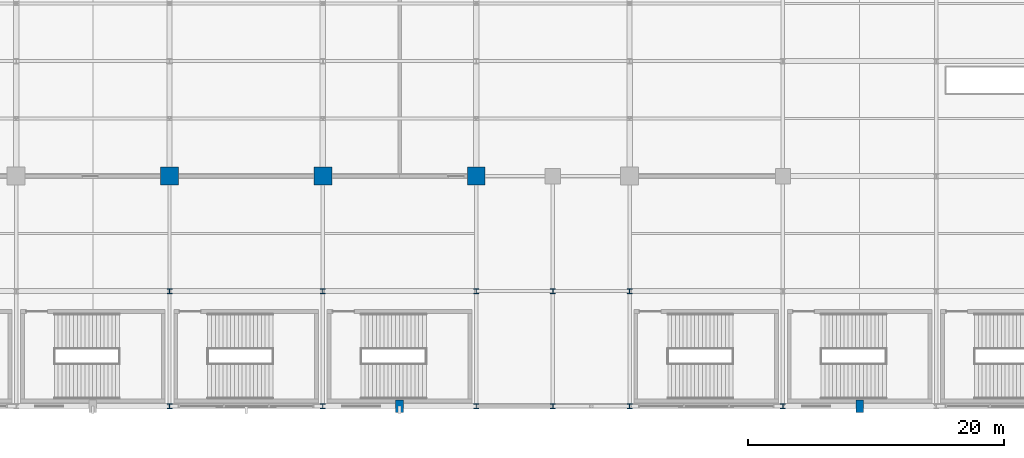
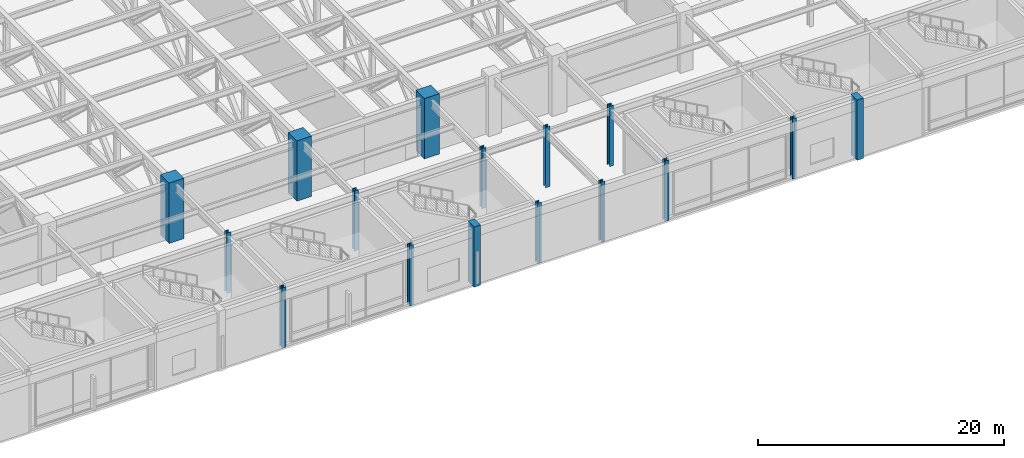
# One storey, part 4 of 108: 16 columns.
"""IFC4 building model written with IfcOpenShell, lengths in metres."""

from ifc_helpers import new_model, si_unit, direction, frame, origin, origin_2d, place, context, subcontext, project, spatial, rectangle, i_section, extrude, material, material_profile, profile_set, type_object, element, save


model = new_model("IFC4")

# Units and contexts
model_context = context("Model", 3, precision=1e-05, world=origin(), true_north=direction((0.0, 1.0)))
body_context = subcontext(model_context, "Body", "Model", "MODEL_VIEW")
ifc_project = project(units=[si_unit("LENGTHUNIT", "METRE"), si_unit("AREAUNIT", "SQUARE_METRE"), si_unit("VOLUMEUNIT", "CUBIC_METRE"), si_unit("PLANEANGLEUNIT", "RADIAN"), si_unit("MASSUNIT", "GRAM", prefix="KILO")], contexts=[model_context])

# Site, building, storey
site_placement = place(None, origin())
site = spatial("IfcSite", under=ifc_project, at=site_placement, CompositionType="ELEMENT")
building_placement = place(site_placement, origin())
building = spatial("IfcBuilding", under=site, at=building_placement, Name="Kaldorvane Square Convention Centre", CompositionType="ELEMENT")
storey_placement = place(building_placement, frame((0.0, 0.0, 12.0)))
storey = spatial("IfcBuildingStorey", under=building, at=storey_placement, Name="L02", CompositionType="ELEMENT", Elevation=12.0)

# Columns
ifc_material_1 = material(Name="Concrete f'c = 55 MPa (Normalweight)", Category="concrete")
ifc_material_profile_1 = material_profile(ifc_material_1, rectangle(XDim=1.399993896484375, YDim=1.399993896484375, at=origin_2d()), Name="RC1400X1400")
ifc_profile_set_1 = profile_set([ifc_material_profile_1], Name="Concrete f'c = 55 MPa (Normalweight)")
column_type_1 = type_object("IfcColumnType", Name="COL-MEGA-1400", PredefinedType="COLUMN", material=ifc_profile_set_1)
for number, where, z_axis, x_axis, name in (
    (1, (66.0, 18.0, 0.0), (0.0, 0.0, 1.0), (1.0, 0.0, 0.0), "Column MC-01 (L02)"),
    (2, (78.0, 18.0, 0.0), (0.0, 0.0, 1.0), (1.0, 0.0, 0.0), "Column MC-01 (L02)"),
    (3, (90.0, 18.0, 0.0), (0.0, 0.0, 1.0), (1.0, 0.0, 0.0), "Column MC-01 (L02)"),
):
    element("IfcColumn", number, at=place(storey_placement, frame(where, z_axis=z_axis, x_axis=x_axis)), inside=storey, type_object=column_type_1, Name=name, PredefinedType="COLUMN", context=body_context, shape_type="SweptSolid", body=[
        extrude(rectangle(XDim=1.399993896484375, YDim=1.399993896484375, at=origin_2d()), origin(), (0.0, 0.0, 1.0), 6.0),
    ])
ifc_material_2 = material(Name="Steel ASTM A992 Gr. 50", Category="steel")
ifc_material_profile_2 = material_profile(ifc_material_2, i_section(OverallWidth=0.393707275390625, OverallDepth=0.375396728515625, WebThickness=0.017303466796875, FlangeThickness=0.0276947021484375, FilletRadius=0.0305023193359375, at=origin_2d()), Name="W14X145")
ifc_profile_set_2 = profile_set([ifc_material_profile_2], Name="Steel ASTM A992 Gr. 50")
column_type_2 = type_object("IfcColumnType", Name="COL-STL-145", PredefinedType="COLUMN", material=ifc_profile_set_2)
for number, where, z_axis, x_axis, name in (
    (4, (66.0, 0.0, 0.0), (0.0, 0.0, 1.0), (1.0, 0.0, 0.0), "Column SC-10 (L02)"),
    (5, (66.0, 9.0, 0.0), (0.0, 0.0, 1.0), (1.0, 0.0, 0.0), "Column SC-10 (L02)"),
    (6, (78.0, 0.0, 0.0), (0.0, 0.0, 1.0), (1.0, 0.0, 0.0), "Column SC-10 (L02)"),
    (7, (78.0, 9.0, 0.0), (0.0, 0.0, 1.0), (1.0, 0.0, 0.0), "Column SC-10 (L02)"),
    (8, (90.0, 0.0, 0.0), (0.0, 0.0, 1.0), (1.0, 0.0, 0.0), "Column SC-10 (L02)"),
    (9, (90.0, 9.0, 0.0), (0.0, 0.0, 1.0), (1.0, 0.0, 0.0), "Column SC-10 (L02)"),
    (10, (96.0, 0.0, 0.0), (0.0, 0.0, 1.0), (1.0, 0.0, 0.0), "Column SC-10 (L02)"),
    (11, (96.0, 9.0, 0.0), (0.0, 0.0, 1.0), (1.0, 0.0, 0.0), "Column SC-10 (L02)"),
    (12, (102.0, 0.0, 0.0), (0.0, 0.0, 1.0), (1.0, 0.0, 0.0), "Column SC-10 (L02)"),
    (13, (102.0, 9.0, 0.0), (0.0, 0.0, 1.0), (1.0, 0.0, 0.0), "Column SC-10 (L02)"),
    (14, (114.0, 0.0, 0.0), (0.0, 0.0, 1.0), (1.0, 0.0, 0.0), "Column SC-10 (L02)"),
):
    element("IfcColumn", number, at=place(storey_placement, frame(where, z_axis=z_axis, x_axis=x_axis)), inside=storey, type_object=column_type_2, Name=name, PredefinedType="COLUMN", context=body_context, shape_type="SweptSolid", body=[
        extrude(i_section(OverallWidth=0.393707275390625, OverallDepth=0.375396728515625, WebThickness=0.017303466796875, FlangeThickness=0.0276947021484375, FilletRadius=0.0305023193359375, at=origin_2d()), origin(), (0.0, 0.0, 1.0), 6.0),
    ])
ifc_material_profile_3 = material_profile(ifc_material_1, rectangle(XDim=0.600006103515625, YDim=1.0, at=origin_2d()), Name="PIL1000X600")
ifc_profile_set_3 = profile_set([ifc_material_profile_3], Name="Concrete f'c = 55 MPa (Normalweight)")
column_type_3 = type_object("IfcColumnType", Name="PIL-BRUT-1000", PredefinedType="PILASTER", material=ifc_profile_set_3)
for number, where, z_axis, x_axis, name in (
    (15, (84.0, 0.0, 0.0), (0.0, 0.0, 1.0), (1.0, 0.0, 0.0), "Brutalist Colonnade Pilaster (L02)"),
    (16, (120.0, 0.0, 0.0), (0.0, 0.0, 1.0), (1.0, 0.0, 0.0), "Brutalist Colonnade Pilaster (L02)"),
):
    element("IfcColumn", number, at=place(storey_placement, frame(where, z_axis=z_axis, x_axis=x_axis)), inside=storey, type_object=column_type_3, Name=name, PredefinedType="PILASTER", context=body_context, shape_type="SweptSolid", body=[
        extrude(rectangle(XDim=0.600006103515625, YDim=1.0, at=origin_2d()), origin(), (0.0, 0.0, 1.0), 6.0),
    ])

save(model, "model.ifc")
